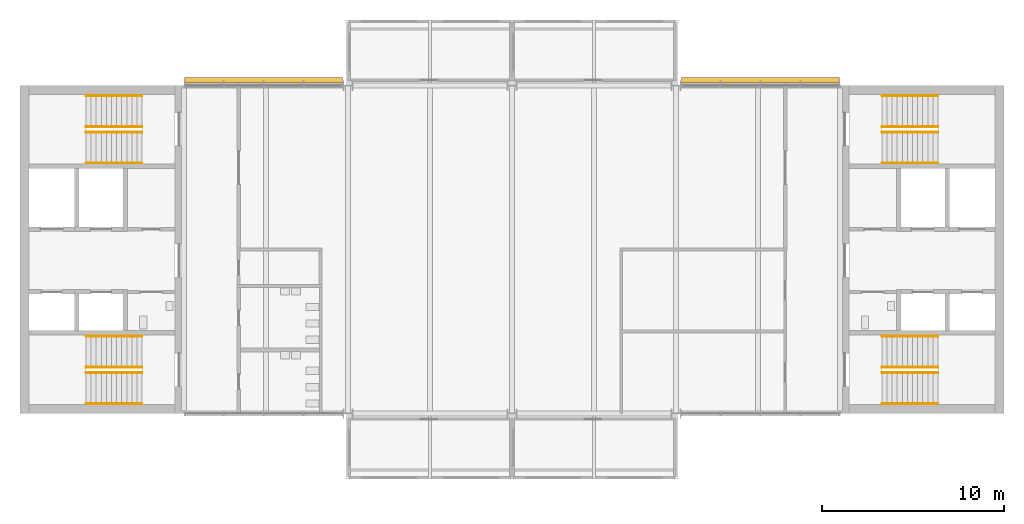
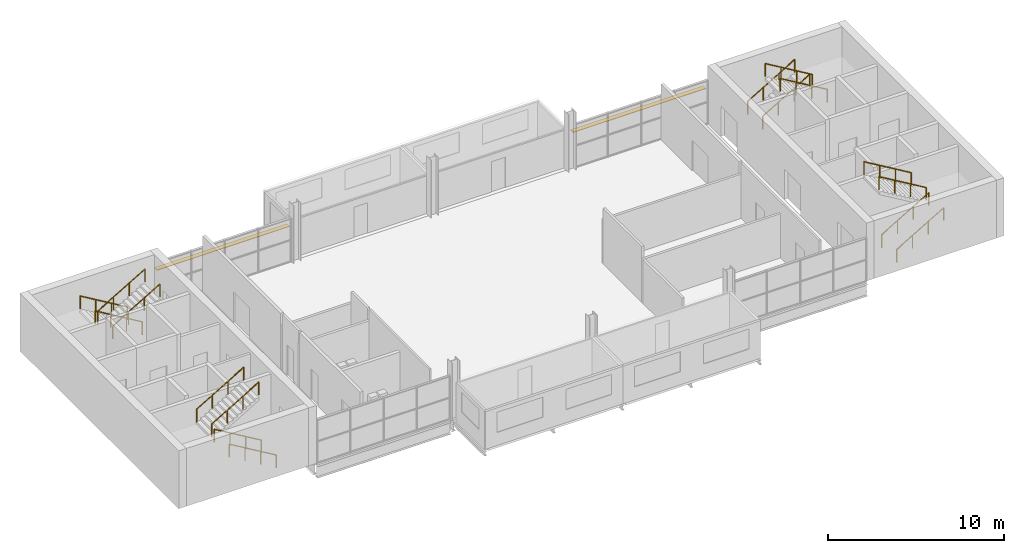
# One storey, part 9 of 10: 16 railings, 2 shading devices.
"""IFC4 building model written with IfcOpenShell, lengths in metres."""

from ifc_helpers import new_model, si_unit, direction, frame, origin, origin_2d, place, context, subcontext, project, spatial, rectangle, circle, extrude, material, layer, layer_set, type_object, element, save


model = new_model("IFC4")

# Units and contexts
model_context = context("Model", 3, precision=1e-05, world=origin(), true_north=direction((0.0, 1.0)))
body_context = subcontext(model_context, "Body", "Model", "MODEL_VIEW")
ifc_project = project(units=[si_unit("LENGTHUNIT", "METRE"), si_unit("AREAUNIT", "SQUARE_METRE"), si_unit("VOLUMEUNIT", "CUBIC_METRE"), si_unit("PLANEANGLEUNIT", "RADIAN"), si_unit("MASSUNIT", "GRAM", prefix="KILO")], contexts=[model_context])

# Site, building, storey
site_placement = place(None, origin())
site = spatial("IfcSite", under=ifc_project, at=site_placement, CompositionType="ELEMENT")
building_placement = place(site_placement, origin())
building = spatial("IfcBuilding", under=site, at=building_placement, Name="Corbel Yard City Hall", CompositionType="ELEMENT")
storey_placement = place(building_placement, frame((0.0, 0.0, 23.199951171875)))
storey = spatial("IfcBuildingStorey", under=building, at=storey_placement, Name="L05", CompositionType="ELEMENT", Elevation=23.199951171875)

# Railings
ifc_material_1 = material(Name="Stainless steel Grade 316", Category="steel")
railing_type = type_object("IfcRailingType", Name="HR1", PredefinedType="HANDRAIL", material=ifc_material_1)
for number, where, name in (
    (1, (6.699951171875, 99.550048828125, 0.166748046875), "Exit stair ST-W1 handrail"),
    (2, (6.699951171875, 101.25, 0.166748046875), "Exit stair ST-W1 handrail"),
):
    element("IfcRailing", number, at=place(storey_placement, frame(where)), inside=storey, type_object=railing_type, Name=name, PredefinedType="HANDRAIL", context=body_context, shape_type="SweptSolid", body=[
        extrude(circle(Radius=0.02392578125, at=origin_2d()), frame((0.0, 0.0, 0.8759765625), z_axis=(-0.859290745958, 0.0, 0.51148745235), x_axis=(0.0, -1.0, 0.0)), (0.0, 0.0, 1.0), 3.584228515625),
        extrude(circle(Radius=0.02099609375, at=origin_2d()), origin(), (0.0, 0.0, 1.0), 0.851806640625),
        extrude(circle(Radius=0.02099609375, at=origin_2d()), frame((-1.026611328125, 0.0, 0.611083984375)), (0.0, 0.0, 1.0), 0.851806640625),
        extrude(circle(Radius=0.02099609375, at=origin_2d()), frame((-2.05322265625, 0.0, 1.22216796875)), (0.0, 0.0, 1.0), 0.851806640625),
        extrude(circle(Radius=0.02099609375, at=origin_2d()), frame((-3.079833984375, 0.0, 1.833251953125)), (0.0, 0.0, 1.0), 0.851806640625),
    ])
for number, where, name in (
    (3, (3.6201171875, 101.550048828125, 2.166748046875), "Exit stair ST-W1 handrail"),
    (4, (3.6201171875, 103.25, 2.166748046875), "Exit stair ST-W1 handrail"),
):
    element("IfcRailing", number, at=place(storey_placement, frame(where)), inside=storey, type_object=railing_type, Name=name, PredefinedType="HANDRAIL", context=body_context, shape_type="SweptSolid", body=[
        extrude(circle(Radius=0.02392578125, at=origin_2d()), frame((0.0, 0.0, 0.8759765625), z_axis=(0.859290745958, 0.0, 0.51148745235), x_axis=(0.0, 1.0, 0.0)), (0.0, 0.0, 1.0), 3.584228515625),
        extrude(circle(Radius=0.02099609375, at=origin_2d()), origin(), (0.0, 0.0, 1.0), 0.851806640625),
        extrude(circle(Radius=0.02099609375, at=origin_2d()), frame((1.026611328125, 0.0, 0.611083984375)), (0.0, 0.0, 1.0), 0.851806640625),
        extrude(circle(Radius=0.02099609375, at=origin_2d()), frame((2.05322265625, 0.0, 1.22216796875)), (0.0, 0.0, 1.0), 0.851806640625),
        extrude(circle(Radius=0.02099609375, at=origin_2d()), frame((3.079833984375, 0.0, 1.833251953125)), (0.0, 0.0, 1.0), 0.851806640625),
    ])
for number, where, name in (
    (5, (6.699951171875, 116.449951171875, 0.166748046875), "Exit stair ST-W2 handrail"),
    (6, (6.699951171875, 114.75, 0.166748046875), "Exit stair ST-W2 handrail"),
):
    element("IfcRailing", number, at=place(storey_placement, frame(where)), inside=storey, type_object=railing_type, Name=name, PredefinedType="HANDRAIL", context=body_context, shape_type="SweptSolid", body=[
        extrude(circle(Radius=0.02392578125, at=origin_2d()), frame((0.0, 0.0, 0.8759765625), z_axis=(-0.859290745958, 0.0, 0.51148745235), x_axis=(0.0, -1.0, 0.0)), (0.0, 0.0, 1.0), 3.584228515625),
        extrude(circle(Radius=0.02099609375, at=origin_2d()), origin(), (0.0, 0.0, 1.0), 0.851806640625),
        extrude(circle(Radius=0.02099609375, at=origin_2d()), frame((-1.026611328125, 0.0, 0.611083984375)), (0.0, 0.0, 1.0), 0.851806640625),
        extrude(circle(Radius=0.02099609375, at=origin_2d()), frame((-2.05322265625, 0.0, 1.22216796875)), (0.0, 0.0, 1.0), 0.851806640625),
        extrude(circle(Radius=0.02099609375, at=origin_2d()), frame((-3.079833984375, 0.0, 1.833251953125)), (0.0, 0.0, 1.0), 0.851806640625),
    ])
for number, where, name in (
    (7, (3.6201171875, 114.449951171875, 2.166748046875), "Exit stair ST-W2 handrail"),
    (8, (3.6201171875, 112.75, 2.166748046875), "Exit stair ST-W2 handrail"),
    (9, (47.300048828125, 99.550048828125, 0.166748046875), "Exit stair ST-E1 handrail"),
    (10, (47.300048828125, 101.25, 0.166748046875), "Exit stair ST-E1 handrail"),
):
    element("IfcRailing", number, at=place(storey_placement, frame(where)), inside=storey, type_object=railing_type, Name=name, PredefinedType="HANDRAIL", context=body_context, shape_type="SweptSolid", body=[
        extrude(circle(Radius=0.02392578125, at=origin_2d()), frame((0.0, 0.0, 0.8759765625), z_axis=(0.859290745958, 0.0, 0.51148745235), x_axis=(0.0, 1.0, 0.0)), (0.0, 0.0, 1.0), 3.584228515625),
        extrude(circle(Radius=0.02099609375, at=origin_2d()), origin(), (0.0, 0.0, 1.0), 0.851806640625),
        extrude(circle(Radius=0.02099609375, at=origin_2d()), frame((1.026611328125, 0.0, 0.611083984375)), (0.0, 0.0, 1.0), 0.851806640625),
        extrude(circle(Radius=0.02099609375, at=origin_2d()), frame((2.05322265625, 0.0, 1.22216796875)), (0.0, 0.0, 1.0), 0.851806640625),
        extrude(circle(Radius=0.02099609375, at=origin_2d()), frame((3.079833984375, 0.0, 1.833251953125)), (0.0, 0.0, 1.0), 0.851806640625),
    ])
for number, where, name in (
    (11, (50.3798828125, 101.550048828125, 2.166748046875), "Exit stair ST-E1 handrail"),
    (12, (50.3798828125, 103.25, 2.166748046875), "Exit stair ST-E1 handrail"),
):
    element("IfcRailing", number, at=place(storey_placement, frame(where)), inside=storey, type_object=railing_type, Name=name, PredefinedType="HANDRAIL", context=body_context, shape_type="SweptSolid", body=[
        extrude(circle(Radius=0.02392578125, at=origin_2d()), frame((0.0, 0.0, 0.8759765625), z_axis=(-0.859290745958, 0.0, 0.51148745235), x_axis=(0.0, -1.0, 0.0)), (0.0, 0.0, 1.0), 3.584228515625),
        extrude(circle(Radius=0.02099609375, at=origin_2d()), origin(), (0.0, 0.0, 1.0), 0.851806640625),
        extrude(circle(Radius=0.02099609375, at=origin_2d()), frame((-1.026611328125, 0.0, 0.611083984375)), (0.0, 0.0, 1.0), 0.851806640625),
        extrude(circle(Radius=0.02099609375, at=origin_2d()), frame((-2.05322265625, 0.0, 1.22216796875)), (0.0, 0.0, 1.0), 0.851806640625),
        extrude(circle(Radius=0.02099609375, at=origin_2d()), frame((-3.079833984375, 0.0, 1.833251953125)), (0.0, 0.0, 1.0), 0.851806640625),
    ])
for number, where, name in (
    (13, (47.300048828125, 116.449951171875, 0.166748046875), "Exit stair ST-E2 handrail"),
    (14, (47.300048828125, 114.75, 0.166748046875), "Exit stair ST-E2 handrail"),
):
    element("IfcRailing", number, at=place(storey_placement, frame(where)), inside=storey, type_object=railing_type, Name=name, PredefinedType="HANDRAIL", context=body_context, shape_type="SweptSolid", body=[
        extrude(circle(Radius=0.02392578125, at=origin_2d()), frame((0.0, 0.0, 0.8759765625), z_axis=(0.859290745958, 0.0, 0.51148745235), x_axis=(0.0, 1.0, 0.0)), (0.0, 0.0, 1.0), 3.584228515625),
        extrude(circle(Radius=0.02099609375, at=origin_2d()), origin(), (0.0, 0.0, 1.0), 0.851806640625),
        extrude(circle(Radius=0.02099609375, at=origin_2d()), frame((1.026611328125, 0.0, 0.611083984375)), (0.0, 0.0, 1.0), 0.851806640625),
        extrude(circle(Radius=0.02099609375, at=origin_2d()), frame((2.05322265625, 0.0, 1.22216796875)), (0.0, 0.0, 1.0), 0.851806640625),
        extrude(circle(Radius=0.02099609375, at=origin_2d()), frame((3.079833984375, 0.0, 1.833251953125)), (0.0, 0.0, 1.0), 0.851806640625),
    ])
for number, where, name in (
    (15, (50.3798828125, 114.449951171875, 2.166748046875), "Exit stair ST-E2 handrail"),
    (16, (50.3798828125, 112.75, 2.166748046875), "Exit stair ST-E2 handrail"),
):
    element("IfcRailing", number, at=place(storey_placement, frame(where)), inside=storey, type_object=railing_type, Name=name, PredefinedType="HANDRAIL", context=body_context, shape_type="SweptSolid", body=[
        extrude(circle(Radius=0.02392578125, at=origin_2d()), frame((0.0, 0.0, 0.8759765625), z_axis=(-0.859290745958, 0.0, 0.51148745235), x_axis=(0.0, -1.0, 0.0)), (0.0, 0.0, 1.0), 3.584228515625),
        extrude(circle(Radius=0.02099609375, at=origin_2d()), origin(), (0.0, 0.0, 1.0), 0.851806640625),
        extrude(circle(Radius=0.02099609375, at=origin_2d()), frame((-1.026611328125, 0.0, 0.611083984375)), (0.0, 0.0, 1.0), 0.851806640625),
        extrude(circle(Radius=0.02099609375, at=origin_2d()), frame((-2.05322265625, 0.0, 1.22216796875)), (0.0, 0.0, 1.0), 0.851806640625),
        extrude(circle(Radius=0.02099609375, at=origin_2d()), frame((-3.079833984375, 0.0, 1.833251953125)), (0.0, 0.0, 1.0), 0.851806640625),
    ])

# Shading devices
ifc_material_2 = material(Name="Anodised aluminium", Category="aluminium")
ifc_layer = layer(ifc_material_2, 0.0400390625)
ifc_layer_set = layer_set([ifc_layer], Name="Anodised aluminium")
shading_device_type = type_object("IfcShadingDeviceType", Name="LV1", PredefinedType="JALOUSIE", material=ifc_layer_set)
for number, where, z_axis, x_axis, name in (
    (17, (13.37158203125, 117.2900390625, 2.31005859375), (0.0, 0.0, 1.0), (1.0, 0.0, 0.0), "Louvre blade"),
    (18, (40.62841796875, 117.2900390625, 2.31005859375), (0.0, 0.0, 1.0), (1.0, 0.0, 0.0), "Louvre blade"),
):
    element("IfcShadingDevice", number, at=place(storey_placement, frame(where, z_axis=z_axis, x_axis=x_axis)), inside=storey, type_object=shading_device_type, Name=name, PredefinedType="JALOUSIE", context=body_context, shape_type="SweptSolid", body=[
        extrude(rectangle(XDim=8.677978515625, YDim=0.300048828125, at=origin_2d()), origin(), (0.0, 0.0, 1.0), 0.0400390625),
    ])

save(model, "model.ifc")
